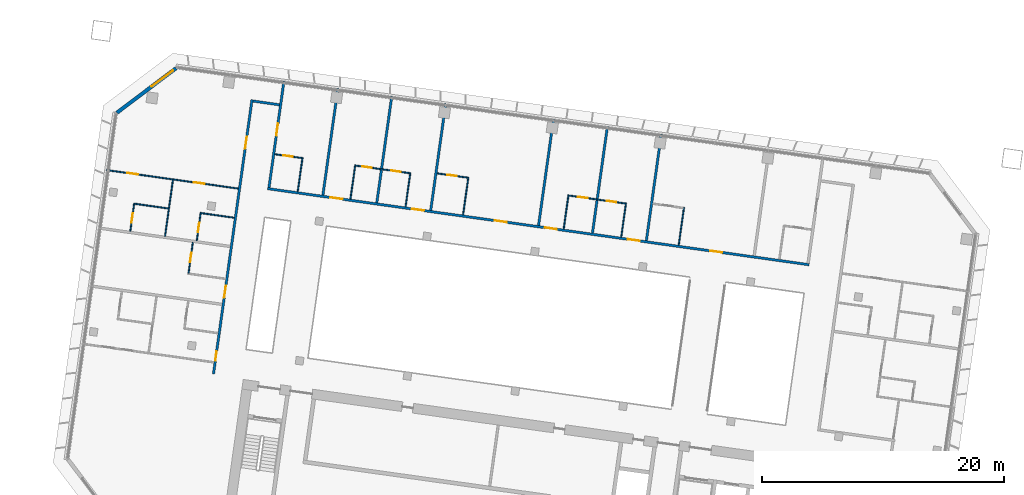
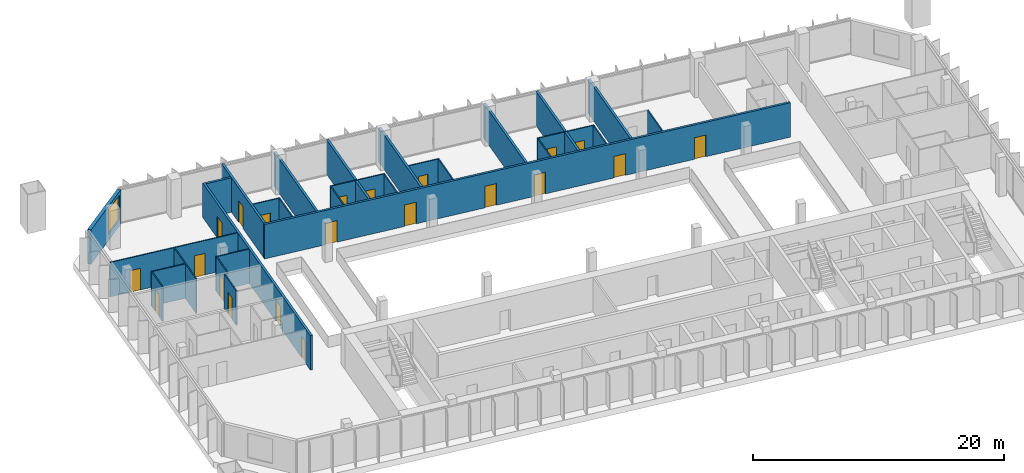
# One storey, part 16 of 26: 29 walls, 21 doors, 1 window, 22 openings.
"""IFC4 building model written with IfcOpenShell, lengths in metres."""

from ifc_helpers import new_model, si_unit, direction, frame, frame_2d, origin, place, context, subcontext, project, spatial, rectangle, extrude, material, layer, layer_set, type_object, element, fill, save


model = new_model("IFC4")

# Units and contexts
model_context = context("Model", 3, precision=1e-05, world=origin(), true_north=direction((0.0, 1.0)))
body_context = subcontext(model_context, "Body", "Model", "MODEL_VIEW")
ifc_project = project(units=[si_unit("LENGTHUNIT", "METRE"), si_unit("AREAUNIT", "SQUARE_METRE"), si_unit("VOLUMEUNIT", "CUBIC_METRE"), si_unit("PLANEANGLEUNIT", "RADIAN"), si_unit("MASSUNIT", "GRAM", prefix="KILO")], contexts=[model_context])

# Site, building, storey
site_placement = place(None, origin())
site = spatial("IfcSite", under=ifc_project, at=site_placement, CompositionType="ELEMENT")
building_placement = place(site_placement, origin())
building = spatial("IfcBuilding", under=site, at=building_placement, Name="Mirante Cascada Hotel Towers", CompositionType="ELEMENT")
storey_placement = place(building_placement, frame((0.0, 0.0, 113.9)))
storey = spatial("IfcBuildingStorey", under=building, at=storey_placement, Name="L25", CompositionType="ELEMENT", Elevation=113.9)

# Wall, openings, doors
ifc_material_1 = material(Name="Fire-rated plasterboard on metal studs")
ifc_layer_1 = layer(ifc_material_1, 0.2)
ifc_layer_set_1 = layer_set([ifc_layer_1], Name="Compartment wall 200 EI 120")
wall_type_1 = type_object("IfcWallType", Name="Compartment wall 200 EI 120", PredefinedType="PARTITIONING", material=ifc_layer_set_1)
wall_1_placement = place(storey_placement, frame((-86.638, 16.0582, 0.0), z_axis=(0.0, 0.0, 1.0), x_axis=(0.9902681, -0.1391726, 0.0)))
wall_1 = element("IfcWall", 1, at=wall_1_placement, inside=storey, type_object=wall_type_1, Name="Wall 1-L25-17", PredefinedType="PARTITIONING", context=body_context, shape_type="SweptSolid", body=[
    extrude(rectangle(XDim=45.2, YDim=0.2, at=frame_2d((22.6, 0.0))), origin(), (0.0, 0.0, 1.0), 3.35),
])
opening_1_placement = place(wall_1_placement, frame((36.95, 0.0, 0.0)))
opening_1 = element("IfcOpeningElement", 2, at=opening_1_placement, cuts=wall_1, Name="Opening D1-L25-07", PredefinedType="OPENING", context=body_context, shape_type="SweptSolid", body=[
    extrude(rectangle(XDim=1.0, YDim=2.1, at=frame_2d((0.5, 1.05))), frame((0.0, 0.1, 0.0), z_axis=(0.0, -1.0, 0.0), x_axis=(1.0, 0.0, 0.0)), (0.0, 0.0, 1.0), 0.2),
])
opening_2_placement = place(wall_1_placement, frame((30.05, 0.0, 0.0)))
opening_2 = element("IfcOpeningElement", 3, at=opening_2_placement, cuts=wall_1, Name="Opening D1-L25-08", PredefinedType="OPENING", context=body_context, shape_type="SweptSolid", body=[
    extrude(rectangle(XDim=1.0, YDim=2.1, at=frame_2d((0.5, 1.05))), frame((0.0, 0.1, 0.0), z_axis=(0.0, -1.0, 0.0), x_axis=(1.0, 0.0, 0.0)), (0.0, 0.0, 1.0), 0.2),
])
opening_3_placement = place(wall_1_placement, frame((23.15, 0.0, 0.0)))
opening_3 = element("IfcOpeningElement", 4, at=opening_3_placement, cuts=wall_1, Name="Opening D1-L25-09", PredefinedType="OPENING", context=body_context, shape_type="SweptSolid", body=[
    extrude(rectangle(XDim=1.0, YDim=2.1, at=frame_2d((0.5, 1.05))), frame((0.0, 0.1, 0.0), z_axis=(0.0, -1.0, 0.0), x_axis=(1.0, 0.0, 0.0)), (0.0, 0.0, 1.0), 0.2),
])
opening_4_placement = place(wall_1_placement, frame((18.95, 0.0, 0.0)))
opening_4 = element("IfcOpeningElement", 5, at=opening_4_placement, cuts=wall_1, Name="Opening D1-L25-10", PredefinedType="OPENING", context=body_context, shape_type="SweptSolid", body=[
    extrude(rectangle(XDim=1.0, YDim=2.1, at=frame_2d((0.5, 1.05))), frame((0.0, 0.1, 0.0), z_axis=(0.0, -1.0, 0.0), x_axis=(1.0, 0.0, 0.0)), (0.0, 0.0, 1.0), 0.2),
])
opening_5_placement = place(wall_1_placement, frame((12.05, 0.0, 0.0)))
opening_5 = element("IfcOpeningElement", 6, at=opening_5_placement, cuts=wall_1, Name="Opening D1-L25-11", PredefinedType="OPENING", context=body_context, shape_type="SweptSolid", body=[
    extrude(rectangle(XDim=1.0, YDim=2.1, at=frame_2d((0.5, 1.05))), frame((0.0, 0.1, 0.0), z_axis=(0.0, -1.0, 0.0), x_axis=(1.0, 0.0, 0.0)), (0.0, 0.0, 1.0), 0.2),
])
opening_6_placement = place(wall_1_placement, frame((5.25, 0.0, 0.0)))
opening_6 = element("IfcOpeningElement", 7, at=opening_6_placement, cuts=wall_1, Name="Opening D1-L25-12", PredefinedType="OPENING", context=body_context, shape_type="SweptSolid", body=[
    extrude(rectangle(XDim=1.0, YDim=2.1, at=frame_2d((0.5, 1.05))), frame((0.0, 0.1, 0.0), z_axis=(0.0, -1.0, 0.0), x_axis=(1.0, 0.0, 0.0)), (0.0, 0.0, 1.0), 0.2),
])
ifc_material_2 = material(Name="Fire-rated timber door leaf", Category="wood")
door_type_1 = type_object("IfcDoorType", Name="Entrance door DG1 1000x2100 EI 60", OperationType="SINGLE_SWING_LEFT", PredefinedType="DOOR", material=ifc_material_2)
door_1_placement = place(opening_1_placement, origin())
door_1 = element("IfcDoor", 8, at=door_1_placement, inside=storey, type_object=door_type_1, Name="Door D1-L25-07", OperationType="SINGLE_SWING_LEFT", OverallHeight=2.1, OverallWidth=1.0, PredefinedType="DOOR", context=body_context, shape_type="SweptSolid", body=[
    extrude(rectangle(XDim=1.0, YDim=2.1, at=frame_2d((0.5, 1.05))), frame((0.0, 0.025, 0.0), z_axis=(0.0, -1.0, 0.0), x_axis=(1.0, 0.0, 0.0)), (0.0, 0.0, 1.0), 0.05),
])
fill(opening_1, door_1)
door_2_placement = place(opening_2_placement, origin())
door_2 = element("IfcDoor", 9, at=door_2_placement, inside=storey, type_object=door_type_1, Name="Door D1-L25-08", OperationType="SINGLE_SWING_LEFT", OverallHeight=2.1, OverallWidth=1.0, PredefinedType="DOOR", context=body_context, shape_type="SweptSolid", body=[
    extrude(rectangle(XDim=1.0, YDim=2.1, at=frame_2d((0.5, 1.05))), frame((0.0, 0.025, 0.0), z_axis=(0.0, -1.0, 0.0), x_axis=(1.0, 0.0, 0.0)), (0.0, 0.0, 1.0), 0.05),
])
fill(opening_2, door_2)
door_3_placement = place(opening_3_placement, origin())
door_3 = element("IfcDoor", 10, at=door_3_placement, inside=storey, type_object=door_type_1, Name="Door D1-L25-09", OperationType="SINGLE_SWING_LEFT", OverallHeight=2.1, OverallWidth=1.0, PredefinedType="DOOR", context=body_context, shape_type="SweptSolid", body=[
    extrude(rectangle(XDim=1.0, YDim=2.1, at=frame_2d((0.5, 1.05))), frame((0.0, 0.025, 0.0), z_axis=(0.0, -1.0, 0.0), x_axis=(1.0, 0.0, 0.0)), (0.0, 0.0, 1.0), 0.05),
])
fill(opening_3, door_3)
door_4_placement = place(opening_4_placement, origin())
door_4 = element("IfcDoor", 11, at=door_4_placement, inside=storey, type_object=door_type_1, Name="Door D1-L25-10", OperationType="SINGLE_SWING_LEFT", OverallHeight=2.1, OverallWidth=1.0, PredefinedType="DOOR", context=body_context, shape_type="SweptSolid", body=[
    extrude(rectangle(XDim=1.0, YDim=2.1, at=frame_2d((0.5, 1.05))), frame((0.0, 0.025, 0.0), z_axis=(0.0, -1.0, 0.0), x_axis=(1.0, 0.0, 0.0)), (0.0, 0.0, 1.0), 0.05),
])
fill(opening_4, door_4)
door_5_placement = place(opening_5_placement, origin())
door_5 = element("IfcDoor", 12, at=door_5_placement, inside=storey, type_object=door_type_1, Name="Door D1-L25-11", OperationType="SINGLE_SWING_LEFT", OverallHeight=2.1, OverallWidth=1.0, PredefinedType="DOOR", context=body_context, shape_type="SweptSolid", body=[
    extrude(rectangle(XDim=1.0, YDim=2.1, at=frame_2d((0.5, 1.05))), frame((0.0, 0.025, 0.0), z_axis=(0.0, -1.0, 0.0), x_axis=(1.0, 0.0, 0.0)), (0.0, 0.0, 1.0), 0.05),
])
fill(opening_5, door_5)
door_6_placement = place(opening_6_placement, origin())
door_6 = element("IfcDoor", 13, at=door_6_placement, inside=storey, type_object=door_type_1, Name="Door D1-L25-12", OperationType="SINGLE_SWING_LEFT", OverallHeight=2.1, OverallWidth=1.0, PredefinedType="DOOR", context=body_context, shape_type="SweptSolid", body=[
    extrude(rectangle(XDim=1.0, YDim=2.1, at=frame_2d((0.5, 1.05))), frame((0.0, 0.025, 0.0), z_axis=(0.0, -1.0, 0.0), x_axis=(1.0, 0.0, 0.0)), (0.0, 0.0, 1.0), 0.05),
])
fill(opening_6, door_6)

# Walls
wall_2_placement = place(storey_placement, frame((-87.8424, 23.2963, 0.0), z_axis=(0.0, 0.0, 1.0), x_axis=(0.990267, -0.139181, 0.0)))
element("IfcWall", 14, at=wall_2_placement, inside=storey, type_object=wall_type_1, Name="Wall 1-L25-25", PredefinedType="PARTITIONING", context=body_context, shape_type="SweptSolid", body=[
    extrude(rectangle(XDim=2.2, YDim=0.2, at=frame_2d((1.1, 0.0))), origin(), (0.0, 0.0, 1.0), 3.35),
])
wall_3_placement = place(storey_placement, frame((-55.3316, 11.7594, 0.0), z_axis=(0.0, 0.0, 1.0), x_axis=(0.1391794, 0.9902672, 0.0)))
element("IfcWall", 15, at=wall_3_placement, inside=storey, type_object=wall_type_1, Name="Wall 1-L25-38", PredefinedType="PARTITIONING", context=body_context, shape_type="SweptSolid", body=[
    extrude(rectangle(XDim=8.9, YDim=0.2, at=frame_2d((4.45, 0.0))), origin(), (0.0, 0.0, 1.0), 3.35),
])
wall_4_placement = place(storey_placement, frame((-59.7878, 12.3857, 0.0), z_axis=(0.0, 0.0, 1.0), x_axis=(0.13917, 0.9902685, 0.0)))
element("IfcWall", 16, at=wall_4_placement, inside=storey, type_object=wall_type_1, Name="Wall 1-L25-40", PredefinedType="PARTITIONING", context=body_context, shape_type="SweptSolid", body=[
    extrude(rectangle(XDim=8.8999, YDim=0.2, at=frame_2d((4.45, 0.0))), origin(), (0.0, 0.0, 1.0), 3.35),
])
for number, where, z_axis, x_axis, name in (
    (17, (-64.244, 13.0119, 0.0), (0.0, 0.0, 1.0), (0.1391684, 0.9902687, 0.0), "Wall 1-L25-42"),
    (18, (-73.1564, 14.2645, 0.0), (0.0, 0.0, 1.0), (0.1391684, 0.9902687, 0.0), "Wall 1-L25-44"),
    (19, (-77.6126, 14.8908, 0.0), (0.0, 0.0, 1.0), (0.1391684, 0.9902687, 0.0), "Wall 1-L25-46"),
):
    element("IfcWall", number, at=place(storey_placement, frame(where, z_axis=z_axis, x_axis=x_axis)), inside=storey, type_object=wall_type_1, Name=name, PredefinedType="PARTITIONING", context=body_context, shape_type="SweptSolid", body=[
        extrude(rectangle(XDim=8.9, YDim=0.2, at=frame_2d((4.45, 0.0))), origin(), (0.0, 0.0, 1.0), 3.35),
    ])
wall_5_placement = place(storey_placement, frame((-82.0688, 15.5171, 0.0), z_axis=(0.0, 0.0, 1.0), x_axis=(0.13917, 0.9902685, 0.0)))
element("IfcWall", 20, at=wall_5_placement, inside=storey, type_object=wall_type_1, Name="Wall 1-L25-48", PredefinedType="PARTITIONING", context=body_context, shape_type="SweptSolid", body=[
    extrude(rectangle(XDim=8.8999, YDim=0.2, at=frame_2d((4.45, 0.0))), origin(), (0.0, 0.0, 1.0), 3.35),
])

# Wall, opening, door
wall_6_placement = place(storey_placement, frame((-86.525, 16.1433, 0.0), z_axis=(0.0, 0.0, 1.0), x_axis=(0.1391684, 0.9902687, 0.0)))
wall_6 = element("IfcWall", 21, at=wall_6_placement, inside=storey, type_object=wall_type_1, Name="Wall 1-L25-50", PredefinedType="PARTITIONING", context=body_context, shape_type="SweptSolid", body=[
    extrude(rectangle(XDim=8.9, YDim=0.2, at=frame_2d((4.45, 0.0))), origin(), (0.0, 0.0, 1.0), 3.35),
])
opening_7_placement = place(wall_6_placement, frame((4.35, 0.0, 0.0)))
opening_7 = element("IfcOpeningElement", 22, at=opening_7_placement, cuts=wall_6, Name="Opening D1-L25-29", PredefinedType="OPENING", context=body_context, shape_type="SweptSolid", body=[
    extrude(rectangle(XDim=1.0, YDim=2.1, at=frame_2d((0.5, 1.05))), frame((0.0, 0.1, 0.0), z_axis=(0.0, -1.0, 0.0), x_axis=(1.0, 0.0, 0.0)), (0.0, 0.0, 1.0), 0.2),
])
door_7_placement = place(opening_7_placement, frame((1.0, 0.0, 0.0), z_axis=(0.0, 0.0, 1.0), x_axis=(-1.0, 0.0, 0.0)))
door_7 = element("IfcDoor", 23, at=door_7_placement, inside=storey, type_object=door_type_1, Name="Door D1-L25-29", OperationType="SINGLE_SWING_RIGHT", OverallHeight=2.1, OverallWidth=1.0, PredefinedType="DOOR", context=body_context, shape_type="SweptSolid", body=[
    extrude(rectangle(XDim=1.0, YDim=2.1, at=frame_2d((0.5, 1.05))), frame((0.0, 0.025, 0.0), z_axis=(0.0, -1.0, 0.0), x_axis=(1.0, 0.0, 0.0)), (0.0, 0.0, 1.0), 0.05),
])
fill(opening_7, door_7)

# Wall, openings, doors
wall_7_placement = place(storey_placement, frame((-87.9275, 23.4092, 0.0), z_axis=(0.0, 0.0, 1.0), x_axis=(-0.1391706, -0.9902684, 0.0)))
wall_7 = element("IfcWall", 24, at=wall_7_placement, inside=storey, type_object=wall_type_1, Name="Wall 1-L25-51", PredefinedType="PARTITIONING", context=body_context, shape_type="SweptSolid", body=[
    extrude(rectangle(XDim=22.9, YDim=0.2, at=frame_2d((11.45, 0.0))), origin(), (0.0, 0.0, 1.0), 3.35),
])
opening_8_placement = place(wall_7_placement, frame((20.9833, 0.0, 0.0)))
opening_8 = element("IfcOpeningElement", 25, at=opening_8_placement, cuts=wall_7, Name="Opening D1-L25-30", PredefinedType="OPENING", context=body_context, shape_type="SweptSolid", body=[
    extrude(rectangle(XDim=0.8, YDim=2.1, at=frame_2d((0.4, 1.05))), frame((0.0, 0.1, 0.0), z_axis=(0.0, -1.0, 0.0), x_axis=(1.0, 0.0, 0.0)), (0.0, 0.0, 1.0), 0.2),
])
opening_9_placement = place(wall_7_placement, frame((15.5334, 0.0, 0.0)))
opening_9 = element("IfcOpeningElement", 26, at=opening_9_placement, cuts=wall_7, Name="Opening D1-L25-31", PredefinedType="OPENING", context=body_context, shape_type="SweptSolid", body=[
    extrude(rectangle(XDim=1.0, YDim=2.1, at=frame_2d((0.5, 1.05))), frame((0.0, 0.1, 0.0), z_axis=(0.0, -1.0, 0.0), x_axis=(1.0, 0.0, 0.0)), (0.0, 0.0, 1.0), 0.2),
])
opening_10_placement = place(wall_7_placement, frame((3.1, 0.0, 0.0)))
opening_10 = element("IfcOpeningElement", 27, at=opening_10_placement, cuts=wall_7, Name="Opening D1-L25-32", PredefinedType="OPENING", context=body_context, shape_type="SweptSolid", body=[
    extrude(rectangle(XDim=1.0, YDim=2.1, at=frame_2d((0.5, 1.05))), frame((0.0, 0.1, 0.0), z_axis=(0.0, -1.0, 0.0), x_axis=(1.0, 0.0, 0.0)), (0.0, 0.0, 1.0), 0.2),
])
ifc_material_3 = material(Name="Fire-rated timber door leaf", Category="wood")
door_type_2 = type_object("IfcDoorType", Name="Bathroom door DG4 800x2100 EI 60", OperationType="SINGLE_SWING_LEFT", PredefinedType="DOOR", material=ifc_material_3)
door_8_placement = place(opening_8_placement, frame((0.8, 0.0, 0.0), z_axis=(0.0, 0.0, 1.0), x_axis=(-1.0, 0.0, 0.0)))
door_8 = element("IfcDoor", 28, at=door_8_placement, inside=storey, type_object=door_type_2, Name="Door D1-L25-30", OperationType="SINGLE_SWING_RIGHT", OverallHeight=2.1, OverallWidth=0.8, PredefinedType="DOOR", context=body_context, shape_type="SweptSolid", body=[
    extrude(rectangle(XDim=0.8, YDim=2.1, at=frame_2d((0.4, 1.05))), frame((0.0, 0.025, 0.0), z_axis=(0.0, -1.0, 0.0), x_axis=(1.0, 0.0, 0.0)), (0.0, 0.0, 1.0), 0.05),
])
fill(opening_8, door_8)
door_9_placement = place(opening_9_placement, frame((1.0, 0.0, 0.0), z_axis=(0.0, 0.0, 1.0), x_axis=(-1.0, 0.0, 0.0)))
door_9 = element("IfcDoor", 29, at=door_9_placement, inside=storey, type_object=door_type_1, Name="Door D1-L25-31", OperationType="SINGLE_SWING_RIGHT", OverallHeight=2.1, OverallWidth=1.0, PredefinedType="DOOR", context=body_context, shape_type="SweptSolid", body=[
    extrude(rectangle(XDim=1.0, YDim=2.1, at=frame_2d((0.5, 1.05))), frame((0.0, 0.025, 0.0), z_axis=(0.0, -1.0, 0.0), x_axis=(1.0, 0.0, 0.0)), (0.0, 0.0, 1.0), 0.05),
])
fill(opening_9, door_9)
door_10_placement = place(opening_10_placement, frame((1.0, 0.0, 0.0), z_axis=(0.0, 0.0, 1.0), x_axis=(-1.0, 0.0, 0.0)))
door_10 = element("IfcDoor", 30, at=door_10_placement, inside=storey, type_object=door_type_1, Name="Door D1-L25-32", OperationType="SINGLE_SWING_RIGHT", OverallHeight=2.1, OverallWidth=1.0, PredefinedType="DOOR", context=body_context, shape_type="SweptSolid", body=[
    extrude(rectangle(XDim=1.0, YDim=2.1, at=frame_2d((0.5, 1.05))), frame((0.0, 0.025, 0.0), z_axis=(0.0, -1.0, 0.0), x_axis=(1.0, 0.0, 0.0)), (0.0, 0.0, 1.0), 0.05),
])
fill(opening_10, door_10)

# Walls
ifc_material_4 = material(Name="Plasterboard on metal studs")
ifc_layer_2 = layer(ifc_material_4, 0.1)
ifc_layer_set_2 = layer_set([ifc_layer_2], Name="Partition 100")
wall_type_2 = type_object("IfcWallType", Name="Partition 100", PredefinedType="PARTITIONING", material=ifc_layer_set_2)
wall_8_placement = place(storey_placement, frame((-92.2219, 14.0491, 0.0), z_axis=(0.0, 0.0, 1.0), x_axis=(0.9902697, -0.1391613, 0.0)))
element("IfcWall", 31, at=wall_8_placement, inside=storey, type_object=wall_type_2, Name="Wall 1-L25-13", PredefinedType="PARTITIONING", context=body_context, shape_type="SweptSolid", body=[
    extrude(rectangle(XDim=2.8499, YDim=0.1, at=frame_2d((1.425, 0.0))), origin(), (0.0, 0.0, 1.0), 3.35),
])
wall_9_placement = place(storey_placement, frame((-94.8461, 14.4179, 0.0), z_axis=(0.0, 0.0, 1.0), x_axis=(-0.9902683, 0.1391714, 0.0)))
element("IfcWall", 32, at=wall_9_placement, inside=storey, type_object=wall_type_2, Name="Wall 1-L25-14", PredefinedType="PARTITIONING", context=body_context, shape_type="SweptSolid", body=[
    extrude(rectangle(XDim=2.9, YDim=0.1, at=frame_2d((1.45, 0.0))), origin(), (0.0, 0.0, 1.0), 3.35),
])

# Wall, openings, doors
wall_10_placement = place(storey_placement, frame((-89.061, 16.0622, 0.0), z_axis=(0.0, 0.0, 1.0), x_axis=(-0.9902682, 0.1391721, 0.0)))
wall_10 = element("IfcWall", 33, at=wall_10_placement, inside=storey, type_object=wall_type_2, Name="Wall 1-L25-16", PredefinedType="PARTITIONING", context=body_context, shape_type="SweptSolid", body=[
    extrude(rectangle(XDim=11.0001, YDim=0.1, at=frame_2d((5.5, 0.0))), origin(), (0.0, 0.0, 1.0), 3.35),
])
opening_11_placement = place(wall_10_placement, frame((2.825, 0.0, 0.0)))
opening_11 = element("IfcOpeningElement", 34, at=opening_11_placement, cuts=wall_10, Name="Opening D1-L25-05", PredefinedType="OPENING", context=body_context, shape_type="SweptSolid", body=[
    extrude(rectangle(XDim=0.9, YDim=2.1, at=frame_2d((0.45, 1.05))), frame((0.0, 0.05, 0.0), z_axis=(0.0, -1.0, 0.0), x_axis=(1.0, 0.0, 0.0)), (0.0, 0.0, 1.0), 0.1),
])
opening_12_placement = place(wall_10_placement, frame((8.375, 0.0, 0.0)))
opening_12 = element("IfcOpeningElement", 35, at=opening_12_placement, cuts=wall_10, Name="Opening D1-L25-06", PredefinedType="OPENING", context=body_context, shape_type="SweptSolid", body=[
    extrude(rectangle(XDim=0.9, YDim=2.1, at=frame_2d((0.45, 1.05))), frame((0.0, 0.05, 0.0), z_axis=(0.0, -1.0, 0.0), x_axis=(1.0, 0.0, 0.0)), (0.0, 0.0, 1.0), 0.1),
])
ifc_material_5 = material(Name="Timber door leaf", Category="wood")
door_type_3 = type_object("IfcDoorType", Name="Room door DG3 900x2100", OperationType="SINGLE_SWING_LEFT", PredefinedType="DOOR", material=ifc_material_5)
door_11_placement = place(opening_11_placement, frame((0.9, 0.0, 0.0), z_axis=(0.0, 0.0, 1.0), x_axis=(-1.0, 0.0, 0.0)))
door_11 = element("IfcDoor", 36, at=door_11_placement, inside=storey, type_object=door_type_3, Name="Door D1-L25-05", OperationType="SINGLE_SWING_RIGHT", OverallHeight=2.1, OverallWidth=0.9, PredefinedType="DOOR", context=body_context, shape_type="SweptSolid", body=[
    extrude(rectangle(XDim=0.9, YDim=2.1, at=frame_2d((0.45, 1.05))), frame((0.0, 0.025, 0.0), z_axis=(0.0, -1.0, 0.0), x_axis=(1.0, 0.0, 0.0)), (0.0, 0.0, 1.0), 0.05),
])
fill(opening_11, door_11)
door_12_placement = place(opening_12_placement, frame((0.9, 0.0, 0.0), z_axis=(0.0, 0.0, 1.0), x_axis=(-1.0, 0.0, 0.0)))
door_12 = element("IfcDoor", 37, at=door_12_placement, inside=storey, type_object=door_type_3, Name="Door D1-L25-06", OperationType="SINGLE_SWING_RIGHT", OverallHeight=2.1, OverallWidth=0.9, PredefinedType="DOOR", context=body_context, shape_type="SweptSolid", body=[
    extrude(rectangle(XDim=0.9, YDim=2.1, at=frame_2d((0.45, 1.05))), frame((0.0, 0.025, 0.0), z_axis=(0.0, -1.0, 0.0), x_axis=(1.0, 0.0, 0.0)), (0.0, 0.0, 1.0), 0.05),
])
fill(opening_12, door_12)

wall_11_placement = place(storey_placement, frame((-61.8243, 15.4994, 0.0), z_axis=(0.0, 0.0, 1.0), x_axis=(0.9902666, -0.1391838, 0.0)))
wall_11 = element("IfcWall", 38, at=wall_11_placement, inside=storey, type_object=wall_type_2, Name="Wall 1-L25-19", PredefinedType="PARTITIONING", context=body_context, shape_type="SweptSolid", body=[
    extrude(rectangle(XDim=4.9, YDim=0.1, at=frame_2d((2.45, 0.0))), origin(), (0.0, 0.0, 1.0), 3.35),
])
opening_13_placement = place(wall_11_placement, frame((3.25, 0.0, 0.0)))
opening_13 = element("IfcOpeningElement", 39, at=opening_13_placement, cuts=wall_11, Name="Opening D1-L25-14", PredefinedType="OPENING", context=body_context, shape_type="SweptSolid", body=[
    extrude(rectangle(XDim=0.8, YDim=2.1, at=frame_2d((0.4, 1.05))), frame((0.0, 0.05, 0.0), z_axis=(0.0, -1.0, 0.0), x_axis=(1.0, 0.0, 0.0)), (0.0, 0.0, 1.0), 0.1),
])
opening_14_placement = place(wall_11_placement, frame((0.85, 0.0, 0.0)))
opening_14 = element("IfcOpeningElement", 40, at=opening_14_placement, cuts=wall_11, Name="Opening D1-L25-15", PredefinedType="OPENING", context=body_context, shape_type="SweptSolid", body=[
    extrude(rectangle(XDim=0.8, YDim=2.1, at=frame_2d((0.4, 1.05))), frame((0.0, 0.05, 0.0), z_axis=(0.0, -1.0, 0.0), x_axis=(1.0, 0.0, 0.0)), (0.0, 0.0, 1.0), 0.1),
])
ifc_material_6 = material(Name="Timber door leaf", Category="wood")
door_type_4 = type_object("IfcDoorType", Name="Bathroom door DG4 800x2100", OperationType="SINGLE_SWING_LEFT", PredefinedType="DOOR", material=ifc_material_6)
door_13_placement = place(opening_13_placement, origin())
door_13 = element("IfcDoor", 41, at=door_13_placement, inside=storey, type_object=door_type_4, Name="Door D1-L25-14", OperationType="SINGLE_SWING_LEFT", OverallHeight=2.1, OverallWidth=0.8, PredefinedType="DOOR", context=body_context, shape_type="SweptSolid", body=[
    extrude(rectangle(XDim=0.8, YDim=2.1, at=frame_2d((0.4, 1.05))), frame((0.0, 0.025, 0.0), z_axis=(0.0, -1.0, 0.0), x_axis=(1.0, 0.0, 0.0)), (0.0, 0.0, 1.0), 0.05),
])
fill(opening_13, door_13)
door_14_placement = place(opening_14_placement, origin())
door_14 = element("IfcDoor", 42, at=door_14_placement, inside=storey, type_object=door_type_4, Name="Door D1-L25-15", OperationType="SINGLE_SWING_LEFT", OverallHeight=2.1, OverallWidth=0.8, PredefinedType="DOOR", context=body_context, shape_type="SweptSolid", body=[
    extrude(rectangle(XDim=0.8, YDim=2.1, at=frame_2d((0.4, 1.05))), frame((0.0, 0.025, 0.0), z_axis=(0.0, -1.0, 0.0), x_axis=(1.0, 0.0, 0.0)), (0.0, 0.0, 1.0), 0.05),
])
fill(opening_14, door_14)

wall_12_placement = place(storey_placement, frame((-74.7968, 17.3226, 0.0), z_axis=(0.0, 0.0, 1.0), x_axis=(-0.9902682, 0.139172, 0.0)))
wall_12 = element("IfcWall", 43, at=wall_12_placement, inside=storey, type_object=wall_type_2, Name="Wall 1-L25-20", PredefinedType="PARTITIONING", context=body_context, shape_type="SweptSolid", body=[
    extrude(rectangle(XDim=4.6999, YDim=0.1, at=frame_2d((2.35, 0.0))), origin(), (0.0, 0.0, 1.0), 3.35),
])
opening_15_placement = place(wall_12_placement, frame((0.85, 0.0, 0.0)))
opening_15 = element("IfcOpeningElement", 44, at=opening_15_placement, cuts=wall_12, Name="Opening D1-L25-16", PredefinedType="OPENING", context=body_context, shape_type="SweptSolid", body=[
    extrude(rectangle(XDim=0.8, YDim=2.1, at=frame_2d((0.4, 1.05))), frame((0.0, 0.05, 0.0), z_axis=(0.0, -1.0, 0.0), x_axis=(1.0, 0.0, 0.0)), (0.0, 0.0, 1.0), 0.1),
])
opening_16_placement = place(wall_12_placement, frame((3.25, 0.0, 0.0)))
opening_16 = element("IfcOpeningElement", 45, at=opening_16_placement, cuts=wall_12, Name="Opening D1-L25-17", PredefinedType="OPENING", context=body_context, shape_type="SweptSolid", body=[
    extrude(rectangle(XDim=0.8, YDim=2.1, at=frame_2d((0.4, 1.05))), frame((0.0, 0.05, 0.0), z_axis=(0.0, -1.0, 0.0), x_axis=(1.0, 0.0, 0.0)), (0.0, 0.0, 1.0), 0.1),
])
door_15_placement = place(opening_15_placement, frame((0.8, 0.0, 0.0), z_axis=(0.0, 0.0, 1.0), x_axis=(-1.0, 0.0, 0.0)))
door_15 = element("IfcDoor", 46, at=door_15_placement, inside=storey, type_object=door_type_4, Name="Door D1-L25-16", OperationType="SINGLE_SWING_RIGHT", OverallHeight=2.1, OverallWidth=0.8, PredefinedType="DOOR", context=body_context, shape_type="SweptSolid", body=[
    extrude(rectangle(XDim=0.8, YDim=2.1, at=frame_2d((0.4, 1.05))), frame((0.0, 0.025, 0.0), z_axis=(0.0, -1.0, 0.0), x_axis=(1.0, 0.0, 0.0)), (0.0, 0.0, 1.0), 0.05),
])
fill(opening_15, door_15)
door_16_placement = place(opening_16_placement, frame((0.8, 0.0, 0.0), z_axis=(0.0, 0.0, 1.0), x_axis=(-1.0, 0.0, 0.0)))
door_16 = element("IfcDoor", 47, at=door_16_placement, inside=storey, type_object=door_type_4, Name="Door D1-L25-17", OperationType="SINGLE_SWING_RIGHT", OverallHeight=2.1, OverallWidth=0.8, PredefinedType="DOOR", context=body_context, shape_type="SweptSolid", body=[
    extrude(rectangle(XDim=0.8, YDim=2.1, at=frame_2d((0.4, 1.05))), frame((0.0, 0.025, 0.0), z_axis=(0.0, -1.0, 0.0), x_axis=(1.0, 0.0, 0.0)), (0.0, 0.0, 1.0), 0.05),
])
fill(opening_16, door_16)

# Wall, opening, door
wall_13_placement = place(storey_placement, frame((-86.0363, 18.9022, 0.0), z_axis=(0.0, 0.0, 1.0), x_axis=(0.9902643, -0.1391997, 0.0)))
wall_13 = element("IfcWall", 48, at=wall_13_placement, inside=storey, type_object=wall_type_2, Name="Wall 1-L25-21", PredefinedType="PARTITIONING", context=body_context, shape_type="SweptSolid", body=[
    extrude(rectangle(XDim=2.25, YDim=0.1, at=frame_2d((1.125, 0.0))), origin(), (0.0, 0.0, 1.0), 3.35),
])
opening_17_placement = place(wall_13_placement, frame((0.7, 0.0, 0.0)))
opening_17 = element("IfcOpeningElement", 49, at=opening_17_placement, cuts=wall_13, Name="Opening D1-L25-18", PredefinedType="OPENING", context=body_context, shape_type="SweptSolid", body=[
    extrude(rectangle(XDim=0.8, YDim=2.1, at=frame_2d((0.4, 1.05))), frame((0.0, 0.05, 0.0), z_axis=(0.0, -1.0, 0.0), x_axis=(1.0, 0.0, 0.0)), (0.0, 0.0, 1.0), 0.1),
])
door_17_placement = place(opening_17_placement, origin())
door_17 = element("IfcDoor", 50, at=door_17_placement, inside=storey, type_object=door_type_4, Name="Door D1-L25-18", OperationType="SINGLE_SWING_LEFT", OverallHeight=2.1, OverallWidth=0.8, PredefinedType="DOOR", context=body_context, shape_type="SweptSolid", body=[
    extrude(rectangle(XDim=0.8, YDim=2.1, at=frame_2d((0.4, 1.05))), frame((0.0, 0.025, 0.0), z_axis=(0.0, -1.0, 0.0), x_axis=(1.0, 0.0, 0.0)), (0.0, 0.0, 1.0), 0.05),
])
fill(opening_17, door_17)

wall_14_placement = place(storey_placement, frame((-72.626, 17.3204, 0.0), z_axis=(0.0, 0.0, 1.0), x_axis=(0.9902677, -0.1391755, 0.0)))
wall_14 = element("IfcWall", 51, at=wall_14_placement, inside=storey, type_object=wall_type_2, Name="Wall 1-L25-23", PredefinedType="PARTITIONING", context=body_context, shape_type="SweptSolid", body=[
    extrude(rectangle(XDim=2.55, YDim=0.1, at=frame_2d((1.275, 0.0))), origin(), (0.0, 0.0, 1.0), 3.35),
])
opening_18_placement = place(wall_14_placement, frame((0.85, 0.0, 0.0)))
opening_18 = element("IfcOpeningElement", 52, at=opening_18_placement, cuts=wall_14, Name="Opening D1-L25-20", PredefinedType="OPENING", context=body_context, shape_type="SweptSolid", body=[
    extrude(rectangle(XDim=0.8, YDim=2.1, at=frame_2d((0.4, 1.05))), frame((0.0, 0.05, 0.0), z_axis=(0.0, -1.0, 0.0), x_axis=(1.0, 0.0, 0.0)), (0.0, 0.0, 1.0), 0.1),
])
door_18_placement = place(opening_18_placement, origin())
door_18 = element("IfcDoor", 53, at=door_18_placement, inside=storey, type_object=door_type_4, Name="Door D1-L25-20", OperationType="SINGLE_SWING_LEFT", OverallHeight=2.1, OverallWidth=0.8, PredefinedType="DOOR", context=body_context, shape_type="SweptSolid", body=[
    extrude(rectangle(XDim=0.8, YDim=2.1, at=frame_2d((0.4, 1.05))), frame((0.0, 0.025, 0.0), z_axis=(0.0, -1.0, 0.0), x_axis=(1.0, 0.0, 0.0)), (0.0, 0.0, 1.0), 0.05),
])
fill(opening_18, door_18)

# Walls
wall_15_placement = place(storey_placement, frame((-52.2195, 14.503, 0.0), z_axis=(0.0, 0.0, 1.0), x_axis=(-0.1391721, -0.9902682, 0.0)))
element("IfcWall", 54, at=wall_15_placement, inside=storey, type_object=wall_type_2, Name="Wall 1-L25-37", PredefinedType="PARTITIONING", context=body_context, shape_type="SweptSolid", body=[
    extrude(rectangle(XDim=3.1501, YDim=0.1, at=frame_2d((1.575, 0.0))), origin(), (0.0, 0.0, 1.0), 3.35),
])
wall_16_placement = place(storey_placement, frame((-57.0284, 14.7749, 0.0), z_axis=(0.0, 0.0, 1.0), x_axis=(-0.1391963, -0.9902648, 0.0)))
element("IfcWall", 55, at=wall_16_placement, inside=storey, type_object=wall_type_2, Name="Wall 1-L25-39", PredefinedType="PARTITIONING", context=body_context, shape_type="SweptSolid", body=[
    extrude(rectangle(XDim=2.7501, YDim=0.1, at=frame_2d((1.3751, 0.0))), origin(), (0.0, 0.0, 1.0), 3.35),
])
wall_17_placement = place(storey_placement, frame((-61.7817, 15.4429, 0.0), z_axis=(0.0, 0.0, 1.0), x_axis=(-0.1391657, -0.9902691, 0.0)))
element("IfcWall", 56, at=wall_17_placement, inside=storey, type_object=wall_type_2, Name="Wall 1-L25-41", PredefinedType="PARTITIONING", context=body_context, shape_type="SweptSolid", body=[
    extrude(rectangle(XDim=2.75, YDim=0.1, at=frame_2d((1.375, 0.0))), origin(), (0.0, 0.0, 1.0), 3.35),
])
wall_18_placement = place(storey_placement, frame((-70.0443, 17.0081, 0.0), z_axis=(0.0, 0.0, 1.0), x_axis=(-0.1391721, -0.9902682, 0.0)))
element("IfcWall", 57, at=wall_18_placement, inside=storey, type_object=wall_type_2, Name="Wall 1-L25-43", PredefinedType="PARTITIONING", context=body_context, shape_type="SweptSolid", body=[
    extrude(rectangle(XDim=3.1501, YDim=0.1, at=frame_2d((1.575, 0.0))), origin(), (0.0, 0.0, 1.0), 3.35),
])
for number, where, z_axis, x_axis, name in (
    (58, (-74.8533, 17.28, 0.0), (0.0, 0.0, 1.0), (-0.1391657, -0.9902691, 0.0), "Wall 1-L25-45"),
    (59, (-79.4085, 17.9202, 0.0), (0.0, 0.0, 1.0), (-0.1391657, -0.9902691, 0.0), "Wall 1-L25-47"),
):
    element("IfcWall", number, at=place(storey_placement, frame(where, z_axis=z_axis, x_axis=x_axis)), inside=storey, type_object=wall_type_2, Name=name, PredefinedType="PARTITIONING", context=body_context, shape_type="SweptSolid", body=[
        extrude(rectangle(XDim=2.75, YDim=0.1, at=frame_2d((1.375, 0.0))), origin(), (0.0, 0.0, 1.0), 3.35),
    ])
wall_19_placement = place(storey_placement, frame((-83.7517, 18.6316, 0.0), z_axis=(0.0, 0.0, 1.0), x_axis=(-0.1391909, -0.9902656, 0.0)))
element("IfcWall", 60, at=wall_19_placement, inside=storey, type_object=wall_type_2, Name="Wall 1-L25-49", PredefinedType="PARTITIONING", context=body_context, shape_type="SweptSolid", body=[
    extrude(rectangle(XDim=2.85, YDim=0.1, at=frame_2d((1.425, 0.0))), origin(), (0.0, 0.0, 1.0), 3.35),
])

# Wall, opening, door
wall_20_placement = place(storey_placement, frame((-92.1794, 13.9926, 0.0), z_axis=(0.0, 0.0, 1.0), x_axis=(-0.1391561, -0.9902705, 0.0)))
wall_20 = element("IfcWall", 61, at=wall_20_placement, inside=storey, type_object=wall_type_2, Name="Wall 1-L25-53", PredefinedType="PARTITIONING", context=body_context, shape_type="SweptSolid", body=[
    extrude(rectangle(XDim=2.25, YDim=0.1, at=frame_2d((1.125, 0.0))), origin(), (0.0, 0.0, 1.0), 3.35),
])
opening_19_placement = place(wall_20_placement, frame((0.75, 0.0, 0.0)))
opening_19 = element("IfcOpeningElement", 62, at=opening_19_placement, cuts=wall_20, Name="Opening D1-L25-34", PredefinedType="OPENING", context=body_context, shape_type="SweptSolid", body=[
    extrude(rectangle(XDim=0.8, YDim=2.1, at=frame_2d((0.4, 1.05))), frame((0.0, 0.05, 0.0), z_axis=(0.0, -1.0, 0.0), x_axis=(1.0, 0.0, 0.0)), (0.0, 0.0, 1.0), 0.1),
])
door_19_placement = place(opening_19_placement, origin())
door_19 = element("IfcDoor", 63, at=door_19_placement, inside=storey, type_object=door_type_4, Name="Door D1-L25-34", OperationType="SINGLE_SWING_LEFT", OverallHeight=2.1, OverallWidth=0.8, PredefinedType="DOOR", context=body_context, shape_type="SweptSolid", body=[
    extrude(rectangle(XDim=0.8, YDim=2.1, at=frame_2d((0.4, 1.05))), frame((0.0, 0.025, 0.0), z_axis=(0.0, -1.0, 0.0), x_axis=(1.0, 0.0, 0.0)), (0.0, 0.0, 1.0), 0.05),
])
fill(opening_19, door_19)

wall_21_placement = place(storey_placement, frame((-93.1723, 9.083, 0.0), z_axis=(0.0, 0.0, 1.0), x_axis=(0.1391755, 0.9902677, 0.0)))
wall_21 = element("IfcWall", 64, at=wall_21_placement, inside=storey, type_object=wall_type_2, Name="Wall 1-L25-54", PredefinedType="PARTITIONING", context=body_context, shape_type="SweptSolid", body=[
    extrude(rectangle(XDim=2.55, YDim=0.1, at=frame_2d((1.275, 0.0))), origin(), (0.0, 0.0, 1.0), 3.35),
])
opening_20_placement = place(wall_21_placement, frame((0.9, 0.0, 0.0)))
opening_20 = element("IfcOpeningElement", 65, at=opening_20_placement, cuts=wall_21, Name="Opening D1-L25-35", PredefinedType="OPENING", context=body_context, shape_type="SweptSolid", body=[
    extrude(rectangle(XDim=0.8, YDim=2.1, at=frame_2d((0.4, 1.05))), frame((0.0, 0.05, 0.0), z_axis=(0.0, -1.0, 0.0), x_axis=(1.0, 0.0, 0.0)), (0.0, 0.0, 1.0), 0.1),
])
door_20_placement = place(opening_20_placement, origin())
door_20 = element("IfcDoor", 66, at=door_20_placement, inside=storey, type_object=door_type_4, Name="Door D1-L25-35", OperationType="SINGLE_SWING_LEFT", OverallHeight=2.1, OverallWidth=0.8, PredefinedType="DOOR", context=body_context, shape_type="SweptSolid", body=[
    extrude(rectangle(XDim=0.8, YDim=2.1, at=frame_2d((0.4, 1.05))), frame((0.0, 0.025, 0.0), z_axis=(0.0, -1.0, 0.0), x_axis=(1.0, 0.0, 0.0)), (0.0, 0.0, 1.0), 0.05),
])
fill(opening_20, door_20)

# Wall
wall_22_placement = place(storey_placement, frame((-95.1167, 12.1333, 0.0), z_axis=(0.0, 0.0, 1.0), x_axis=(0.1391701, 0.9902685, 0.0)))
element("IfcWall", 67, at=wall_22_placement, inside=storey, type_object=wall_type_2, Name="Wall 1-L25-56", PredefinedType="PARTITIONING", context=body_context, shape_type="SweptSolid", body=[
    extrude(rectangle(XDim=4.6835, YDim=0.1, at=frame_2d((2.3418, 0.0))), origin(), (0.0, 0.0, 1.0), 3.35),
])

# Wall, opening, door
wall_23_placement = place(storey_placement, frame((-97.9885, 12.5369, 0.0), z_axis=(0.0, 0.0, 1.0), x_axis=(0.1391561, 0.9902705, 0.0)))
wall_23 = element("IfcWall", 68, at=wall_23_placement, inside=storey, type_object=wall_type_2, Name="Wall 1-L25-58", PredefinedType="PARTITIONING", context=body_context, shape_type="SweptSolid", body=[
    extrude(rectangle(XDim=2.25, YDim=0.1, at=frame_2d((1.125, 0.0))), origin(), (0.0, 0.0, 1.0), 3.35),
])
opening_21_placement = place(wall_23_placement, frame((0.7, 0.0, 0.0)))
opening_21 = element("IfcOpeningElement", 69, at=opening_21_placement, cuts=wall_23, Name="Opening D1-L25-38", PredefinedType="OPENING", context=body_context, shape_type="SweptSolid", body=[
    extrude(rectangle(XDim=0.8, YDim=2.1, at=frame_2d((0.4, 1.05))), frame((0.0, 0.05, 0.0), z_axis=(0.0, -1.0, 0.0), x_axis=(1.0, 0.0, 0.0)), (0.0, 0.0, 1.0), 0.1),
])
door_21_placement = place(opening_21_placement, frame((0.8, 0.0, 0.0), z_axis=(0.0, 0.0, 1.0), x_axis=(-1.0, 0.0, 0.0)))
door_21 = element("IfcDoor", 70, at=door_21_placement, inside=storey, type_object=door_type_4, Name="Door D1-L25-38", OperationType="SINGLE_SWING_RIGHT", OverallHeight=2.1, OverallWidth=0.8, PredefinedType="DOOR", context=body_context, shape_type="SweptSolid", body=[
    extrude(rectangle(XDim=0.8, YDim=2.1, at=frame_2d((0.4, 1.05))), frame((0.0, 0.025, 0.0), z_axis=(0.0, -1.0, 0.0), x_axis=(1.0, 0.0, 0.0)), (0.0, 0.0, 1.0), 0.05),
])
fill(opening_21, door_21)

# Wall, opening, window
ifc_material_7 = material(Name="Precast concrete C40/50", Category="concrete")
ifc_layer_3 = layer(ifc_material_7, 0.3)
ifc_layer_set_3 = layer_set([ifc_layer_3], Name="Precast concrete C40/50 cladding wall 300")
wall_type_3 = type_object("IfcWallType", Name="Precast concrete C40/50 cladding wall 300", PredefinedType="STANDARD", material=ifc_layer_set_3)
wall_24_placement = place(storey_placement, frame((-99.0919, 22.3343, 0.0), z_axis=(0.0, 0.0, 1.0), x_axis=(0.7986362, 0.6018141, 0.0)))
wall_24 = element("IfcWall", 71, at=wall_24_placement, inside=storey, type_object=wall_type_3, Name="Corner cladding wall T1 L25 outer front", PredefinedType="STANDARD", context=body_context, shape_type="SweptSolid", body=[
    extrude(rectangle(XDim=6.1157, YDim=0.3, at=frame_2d((3.0578, 0.0))), origin(), (0.0, 0.0, 1.0), 3.35),
])
opening_22_placement = place(wall_24_placement, frame((3.595, 0.0, 0.6)))
opening_22 = element("IfcOpeningElement", 72, at=opening_22_placement, cuts=wall_24, Name="Opening W1-25-04", PredefinedType="OPENING", context=body_context, shape_type="SweptSolid", body=[
    extrude(rectangle(XDim=2.2, YDim=2.4, at=frame_2d((1.1, 1.2))), frame((0.0, 0.15, 0.0), z_axis=(0.0, -1.0, 0.0), x_axis=(1.0, 0.0, 0.0)), (0.0, 0.0, 1.0), 0.3),
])
ifc_material_8 = material(Name="Aluminium frame with clear double glazing", Category="aluminium")
window_type = type_object("IfcWindowType", Name="Corner suite window 2200x2400", PartitioningType="DOUBLE_PANEL_VERTICAL", PredefinedType="WINDOW", material=ifc_material_8)
window_placement = place(opening_22_placement, origin())
window = element("IfcWindow", 73, at=window_placement, inside=storey, type_object=window_type, Name="Window W1-25-04", OverallHeight=2.4, OverallWidth=2.2, PartitioningType="SINGLE_PANEL", PredefinedType="WINDOW", context=body_context, shape_type="SweptSolid", body=[
    extrude(rectangle(XDim=2.2, YDim=2.4, at=frame_2d((1.1, 1.2))), frame((0.0, 0.03, 0.0), z_axis=(0.0, -1.0, 0.0), x_axis=(1.0, 0.0, 0.0)), (0.0, 0.0, 1.0), 0.06),
])
fill(opening_22, window)

save(model, "model.ifc")
